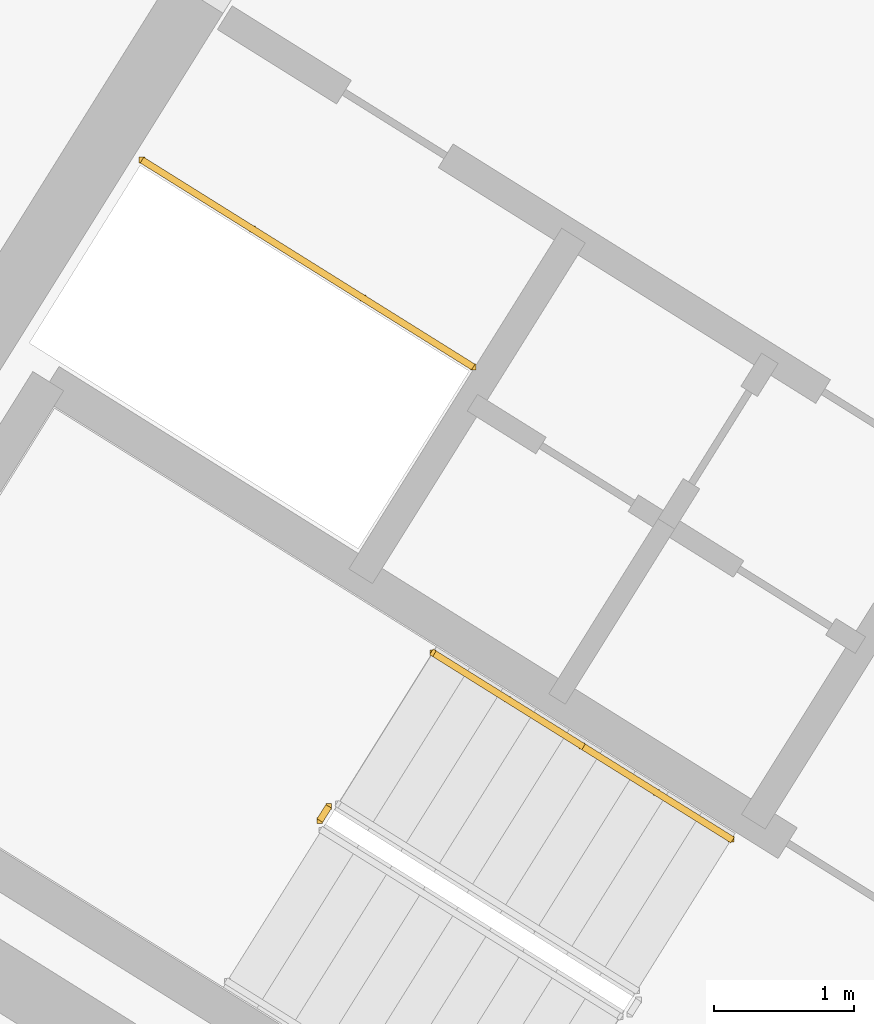
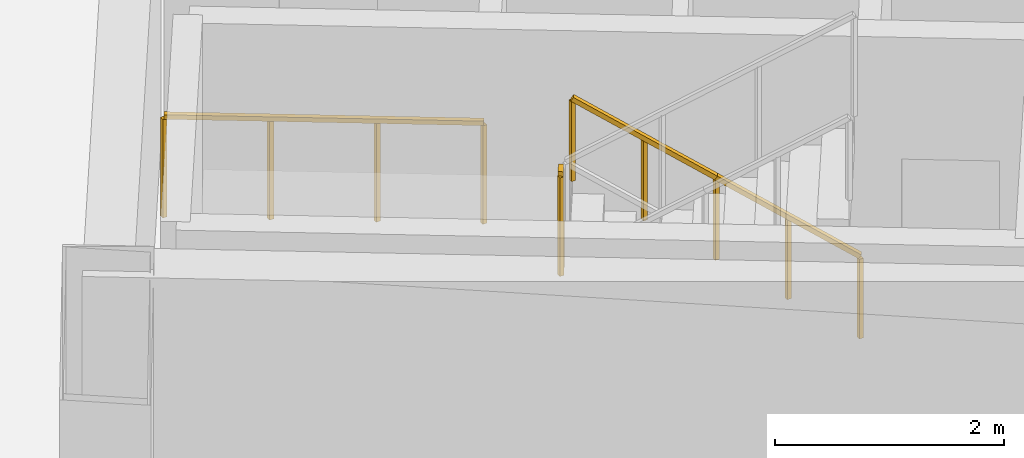
# One storey, part 25 of 29: 4 railings.
"""IFC4 building model written with IfcOpenShell, lengths in metres."""

from ifc_helpers import new_model, si_unit, direction, frame, origin, origin_2d, place, context, subcontext, project, spatial, rectangle, extrude, source, transform, mapped, material, type_object, element, save


model = new_model("IFC4")

# Units and contexts
model_context = context("Model", 3, precision=1e-05, world=origin(), true_north=direction((0.0, 1.0)))
body_context = subcontext(model_context, "Body", "Model", "MODEL_VIEW")
ifc_project = project(units=[si_unit("LENGTHUNIT", "METRE"), si_unit("AREAUNIT", "SQUARE_METRE"), si_unit("VOLUMEUNIT", "CUBIC_METRE"), si_unit("PLANEANGLEUNIT", "RADIAN"), si_unit("MASSUNIT", "GRAM", prefix="KILO")], contexts=[model_context])

# Site, building, storey
site_placement = place(None, origin())
site = spatial("IfcSite", under=ifc_project, at=site_placement, CompositionType="ELEMENT")
building_placement = place(site_placement, origin())
building = spatial("IfcBuilding", under=site, at=building_placement, Name="Tlacorven Tower", CompositionType="ELEMENT")
storey_placement = place(building_placement, frame((0.0, 0.0, 238.5)))
storey = spatial("IfcBuildingStorey", under=building, at=storey_placement, Name="L60", CompositionType="ELEMENT", Elevation=238.5)

# Railings
ifc_material = material(Name="Aluminium and painted steel balustrade", Category="steel")
railing_type_1 = type_object("IfcRailingType", Name="RL-GRD-1100", PredefinedType="GUARDRAIL", material=ifc_material)
shared_shape_1 = source(origin(), body_context, "Body", "SweptSolid", [
    extrude(rectangle(XDim=0.048095703125, YDim=0.048095703125, at=origin_2d()), frame((0.0, 0.0, 1.076171875), z_axis=(-0.848091358275, 0.529850024081, 0.0), x_axis=(-0.529850024081, -0.848091358275, 0.0)), (0.0, 0.0, 1.0), 2.800048828125),
    extrude(rectangle(XDim=0.0419921875, YDim=0.0419921875, at=origin_2d()), origin(), (0.0, 0.0, 1.0), 1.052001953125),
    extrude(rectangle(XDim=0.0419921875, YDim=0.0419921875, at=origin_2d()), frame((-0.79150390625, 0.49462890625, 0.0)), (0.0, 0.0, 1.0), 1.052001953125),
    extrude(rectangle(XDim=0.0419921875, YDim=0.0419921875, at=origin_2d()), frame((-1.583251953125, 0.989013671875, 0.0)), (0.0, 0.0, 1.0), 1.052001953125),
    extrude(rectangle(XDim=0.0419921875, YDim=0.0419921875, at=origin_2d()), frame((-2.374755859375, 1.483642578125, 0.0)), (0.0, 0.0, 1.0), 1.052001953125),
])
railing_1_placement = place(storey_placement, frame((27.9912109375, 22.32080078125, 0.0)))
element("IfcRailing", 1, at=railing_1_placement, inside=storey, type_object=railing_type_1, Name="L60 Electrical Riser W Shaft Guard 1", PredefinedType="GUARDRAIL", context=body_context, shape_type="MappedRepresentation", body=[
    mapped(shared_shape_1, transform((0.0, 0.0, 0.0), scale=1.0)),
])
shared_shape_2 = source(origin(), body_context, "Body", "SweptSolid", [
    extrude(rectangle(XDim=0.048095703125, YDim=0.048095703125, at=origin_2d()), frame((0.0, 0.0, 1.076171875), z_axis=(-0.530546985787, -0.847655529016, 0.0), x_axis=(0.847655529016, -0.530546985787, 0.0)), (0.0, 0.0, 1.0), 0.1201171875),
    extrude(rectangle(XDim=0.0419921875, YDim=0.0419921875, at=origin_2d()), origin(), (0.0, 0.0, 1.0), 1.052001953125),
    extrude(rectangle(XDim=0.0419921875, YDim=0.0419921875, at=origin_2d()), frame((-0.063720703125, -0.101806640625, 0.0)), (0.0, 0.0, 1.0), 1.052001953125),
])
railing_2_placement = place(storey_placement, frame((26.954833984375, 19.17138671875, 1.800048828125)))
element("IfcRailing", 2, at=railing_2_placement, inside=storey, type_object=railing_type_1, Name="L60 ST-W1 stair guard 2", PredefinedType="GUARDRAIL", context=body_context, shape_type="MappedRepresentation", body=[
    mapped(shared_shape_2, transform((0.0, 0.0, 0.0), scale=1.0)),
])
railing_type_2 = type_object("IfcRailingType", Name="RL-HND-0900", PredefinedType="HANDRAIL", material=ifc_material)
shared_shape_3 = source(origin(), body_context, "Body", "SweptSolid", [
    extrude(rectangle(XDim=0.048095703125, YDim=0.048095703125, at=origin_2d()), frame((0.0, 0.0, 0.8759765625), z_axis=(-0.713359751793, 0.4457479829, 0.540764828981), x_axis=(-0.529911857636, -0.848052724267, 0.0)), (0.0, 0.0, 1.0), 1.498046875),
    extrude(rectangle(XDim=0.0419921875, YDim=0.0419921875, at=origin_2d()), origin(), (0.0, 0.0, 1.0), 0.851806640625),
    extrude(rectangle(XDim=0.0419921875, YDim=0.0419921875, at=origin_2d()), frame((-0.5341796875, 0.333984375, 0.405029296875)), (0.0, 0.0, 1.0), 0.851806640625),
    extrude(rectangle(XDim=0.0419921875, YDim=0.0419921875, at=origin_2d()), frame((-1.068603515625, 0.667724609375, 0.81005859375)), (0.0, 0.0, 1.0), 0.851806640625),
])
for number, where, name in (
    (3, (29.839111328125, 18.937255859375, 0.179931640625), "L60 ST-W1 stair handrail 1"),
    (4, (28.7705078125, 19.60498046875, 0.989990234375), "L60 ST-W1 stair handrail 2"),
):
    element("IfcRailing", number, at=place(storey_placement, frame(where)), inside=storey, type_object=railing_type_2, Name=name, PredefinedType="HANDRAIL", context=body_context, shape_type="MappedRepresentation", body=[
        mapped(shared_shape_3, transform((0.0, 0.0, 0.0), scale=1.0)),
    ])

save(model, "model.ifc")
